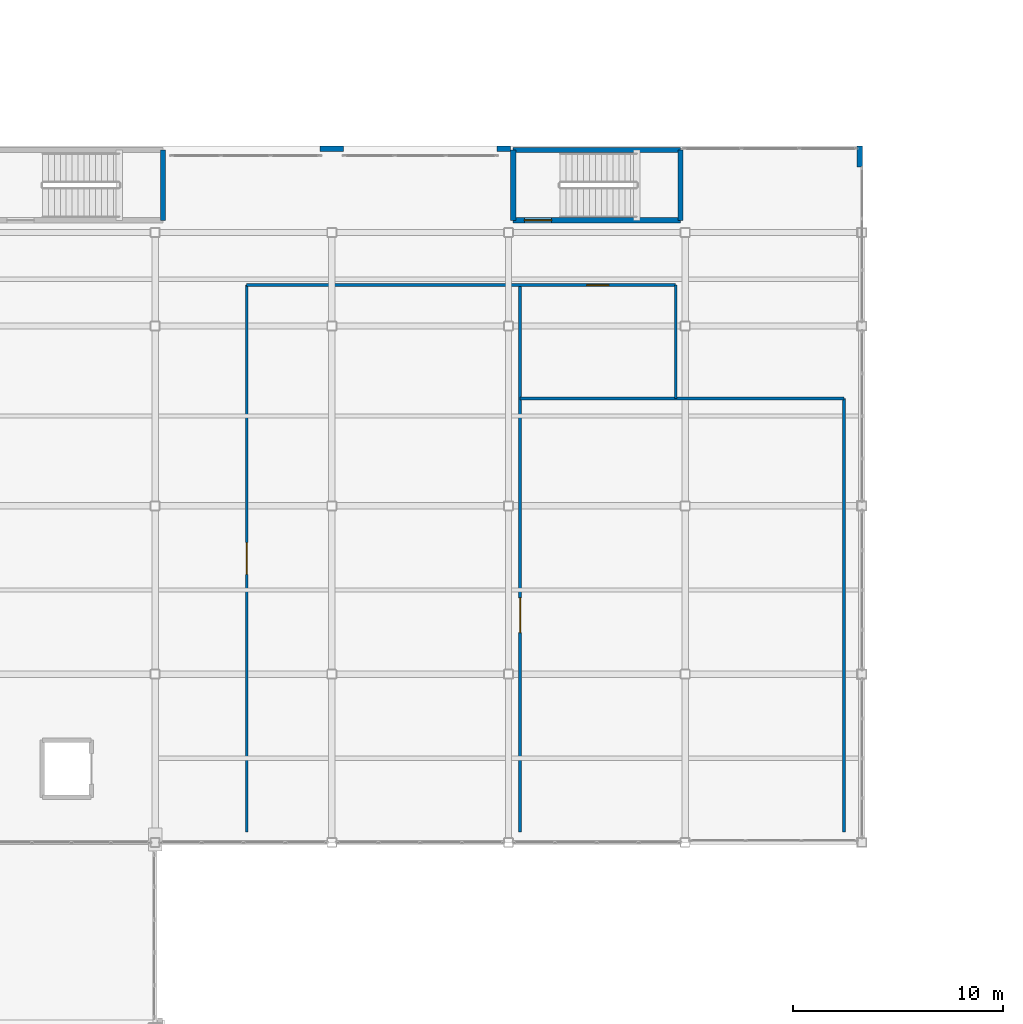
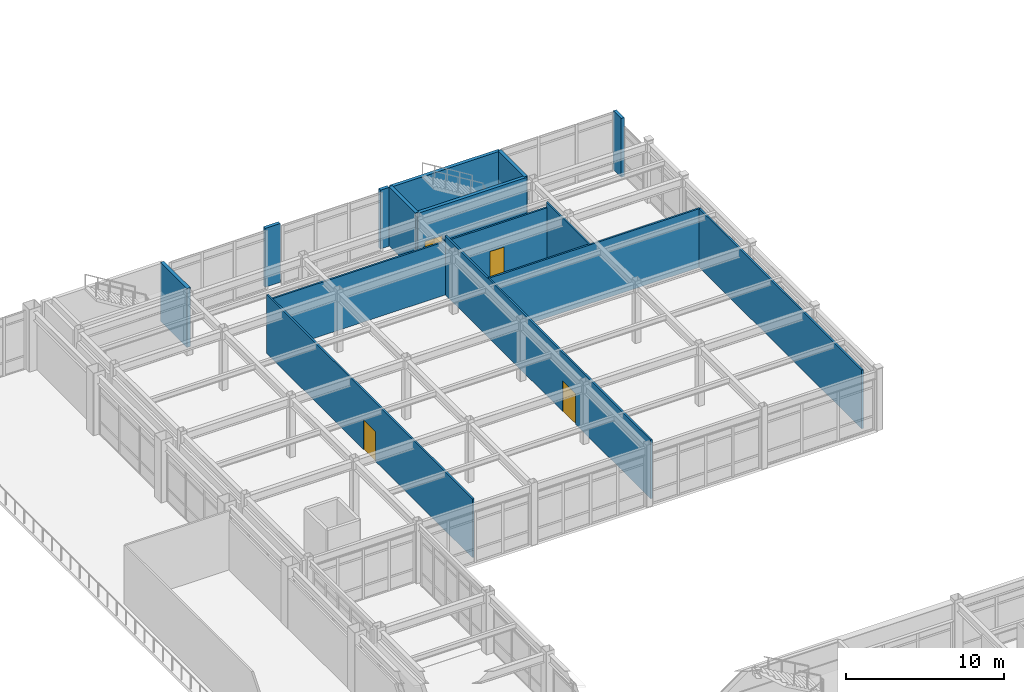
# One storey, part 146 of 172: 14 walls, 4 doors, 4 openings.
"""IFC4 building model written with IfcOpenShell, lengths in metres."""

from ifc_helpers import new_model, si_unit, direction, frame, frame_2d, origin, place, context, subcontext, project, spatial, rectangle, extrude, material, layer, layer_set, type_object, element, fill, save


model = new_model("IFC4")

# Units and contexts
model_context = context("Model", 3, precision=1e-05, world=origin(), true_north=direction((0.0, 1.0)))
body_context = subcontext(model_context, "Body", "Model", "MODEL_VIEW")
ifc_project = project(units=[si_unit("LENGTHUNIT", "METRE"), si_unit("AREAUNIT", "SQUARE_METRE"), si_unit("VOLUMEUNIT", "CUBIC_METRE"), si_unit("PLANEANGLEUNIT", "RADIAN"), si_unit("MASSUNIT", "GRAM", prefix="KILO")], contexts=[model_context])

# Site, building, storey
site_placement = place(None, origin())
site = spatial("IfcSite", under=ifc_project, at=site_placement, CompositionType="ELEMENT")
building_placement = place(site_placement, origin())
building = spatial("IfcBuilding", under=site, at=building_placement, Name="Kazehara Bluff Congress Hotel", CompositionType="ELEMENT")
storey_placement = place(building_placement, frame((0.0, 0.0, 5.39990234375)))
storey = spatial("IfcBuildingStorey", under=building, at=storey_placement, Name="L01", CompositionType="ELEMENT", Elevation=5.39990234375)

# Walls
ifc_material_1 = material(Name="Concrete C40/50", Category="concrete")
ifc_layer_1 = layer(ifc_material_1, 0.25)
ifc_layer_set_1 = layer_set([ifc_layer_1], Name="Concrete C40/50")
wall_type_1 = type_object("IfcWallType", Name="TP-CW-RC", PredefinedType="SHEAR", material=ifc_layer_set_1)
for number, where, z_axis, x_axis, name in (
    (1, (68.02490234375, 113.824951171875, 0.0), (0.0, 0.0, 1.0), (0.0, -1.0, 0.0), "L01 ST-06 core wall far"),
    (2, (84.675048828125, 110.47509765625, 0.0), (0.0, 0.0, 1.0), (0.0, 1.0, 0.0), "L01 ST-07 core wall near"),
    (3, (92.625, 113.824951171875, 0.0), (0.0, 0.0, 1.0), (0.0, -1.0, 0.0), "L01 ST-07 core wall far"),
):
    element("IfcWall", number, at=place(storey_placement, frame(where, z_axis=z_axis, x_axis=x_axis)), inside=storey, type_object=wall_type_1, Name=name, PredefinedType="SHEAR", context=body_context, shape_type="SweptSolid", body=[
        extrude(rectangle(XDim=3.349853515625, YDim=0.25, at=frame_2d((1.6748046875, 0.0))), origin(), (0.0, 0.0, 1.0), 4.550048828125),
    ])

# Wall, opening, door
wall_1_placement = place(storey_placement, frame((92.625, 110.47509765625, 0.0), z_axis=(0.0, 0.0, 1.0), x_axis=(-1.0, 0.0, 0.0)))
wall_1 = element("IfcWall", 4, at=wall_1_placement, inside=storey, type_object=wall_type_1, Name="L01 ST-07 core wall left", PredefinedType="SHEAR", context=body_context, shape_type="SweptSolid", body=[
    extrude(rectangle(XDim=7.949951171875, YDim=0.25, at=frame_2d((3.97509765625, 0.0))), origin(), (0.0, 0.0, 1.0), 4.550048828125),
])
opening_1_placement = place(wall_1_placement, frame((6.125, 0.0, 0.0)))
opening_1 = element("IfcOpeningElement", 5, at=opening_1_placement, cuts=wall_1, Name="Opening FD-01", PredefinedType="OPENING", context=body_context, shape_type="SweptSolid", body=[
    extrude(rectangle(XDim=1.300048828125, YDim=2.199951171875, at=frame_2d((0.64990234375, 1.10009765625))), frame((0.0, 0.135009765625, 0.0), z_axis=(0.0, -1.0, 0.0), x_axis=(1.0, 0.0, 0.0)), (0.0, 0.0, 1.0), 0.27001953125),
])
ifc_material_2 = material(Name="Fire-rated painted steel leaf", Category="steel")
door_type_1 = type_object("IfcDoorType", Name="TP-FD-01", OperationType="NOTDEFINED", PredefinedType="DOOR", material=ifc_material_2)
door_1_placement = place(opening_1_placement, origin())
door_1 = element("IfcDoor", 6, at=door_1_placement, inside=storey, type_object=door_type_1, Name="L01 ST-07 fire stair door", OperationType="SINGLE_SWING_LEFT", OverallHeight=2.199951171875, OverallWidth=1.300048828125, PredefinedType="DOOR", context=body_context, shape_type="SweptSolid", body=[
    extrude(rectangle(XDim=1.300048828125, YDim=2.199951171875, at=frame_2d((0.64990234375, 1.10009765625))), frame((0.0, 0.02490234375, 0.0), z_axis=(0.0, -1.0, 0.0), x_axis=(1.0, 0.0, 0.0)), (0.0, 0.0, 1.0), 0.050048828125),
])
fill(opening_1, door_1)

# Walls
wall_2_placement = place(storey_placement, frame((84.675048828125, 113.824951171875, 0.0), z_axis=(0.0, 0.0, 1.0), x_axis=(1.0, 0.0, 0.0)))
element("IfcWall", 7, at=wall_2_placement, inside=storey, type_object=wall_type_1, Name="L01 ST-07 core wall right", PredefinedType="SHEAR", context=body_context, shape_type="SweptSolid", body=[
    extrude(rectangle(XDim=7.949951171875, YDim=0.25, at=frame_2d((3.97509765625, 0.0))), origin(), (0.0, 0.0, 1.0), 4.550048828125),
])
ifc_material_3 = material(Name="Precast concrete C40/50", Category="concrete")
ifc_layer_2 = layer(ifc_material_3, 0.239990234375)
ifc_layer_set_2 = layer_set([ifc_layer_2], Name="Precast concrete C40/50")
wall_type_2 = type_object("IfcWallType", Name="TP-EW-240", PredefinedType="SOLIDWALL", material=ifc_layer_set_2)
wall_3_placement = place(storey_placement, frame((101.14990234375, 114.0, 0.0), z_axis=(0.0, 0.0, 1.0), x_axis=(0.0, -1.0, 0.0)))
element("IfcWall", 8, at=wall_3_placement, inside=storey, type_object=wall_type_2, Name="L01 V3 perimeter spandrel pier 575", PredefinedType="SOLIDWALL", context=body_context, shape_type="SweptSolid", body=[
    extrude(rectangle(XDim=1.0, YDim=0.239990234375, at=frame_2d((0.5, 0.0))), origin(), (0.0, 0.0, 1.0), 4.53515625),
])
wall_4_placement = place(storey_placement, frame((75.5, 113.8798828125, 0.0), z_axis=(0.0, 0.0, 1.0), x_axis=(1.0, 0.0, 0.0)))
element("IfcWall", 9, at=wall_4_placement, inside=storey, type_object=wall_type_2, Name="L01 V3 perimeter spandrel pier 577", PredefinedType="SOLIDWALL", context=body_context, shape_type="SweptSolid", body=[
    extrude(rectangle(XDim=1.10009765625, YDim=0.239990234375, at=frame_2d((0.550048828125, 0.0))), origin(), (0.0, 0.0, 1.0), 4.53515625),
])
wall_5_placement = place(storey_placement, frame((83.89990234375, 113.8798828125, 0.0), z_axis=(0.0, 0.0, 1.0), x_axis=(1.0, 0.0, 0.0)))
element("IfcWall", 10, at=wall_5_placement, inside=storey, type_object=wall_type_2, Name="L01 V3 perimeter spandrel pier 578", PredefinedType="SOLIDWALL", context=body_context, shape_type="SweptSolid", body=[
    extrude(rectangle(XDim=0.64013671875, YDim=0.239990234375, at=frame_2d((0.320068359375, 0.0))), origin(), (0.0, 0.0, 1.0), 4.53515625),
])
ifc_material_4 = material(Name="Fire-rated gypsum board stud partition")
ifc_layer_3 = layer(ifc_material_4, 0.110107421875)
ifc_layer_set_3 = layer_set([ifc_layer_3], Name="Fire-rated gypsum board stud partition")
wall_type_3 = type_object("IfcWallType", Name="TP-PT-110", PredefinedType="PARTITIONING", material=ifc_layer_set_3)
wall_6_placement = place(storey_placement, frame((92.39990234375, 102.0, 0.0), z_axis=(0.0, 0.0, 1.0), x_axis=(0.0, 1.0, 0.0)))
element("IfcWall", 11, at=wall_6_placement, inside=storey, type_object=wall_type_3, Name="L01 partition PT-110 176", PredefinedType="PARTITIONING", context=body_context, shape_type="SweptSolid", body=[
    extrude(rectangle(XDim=5.39990234375, YDim=0.110107421875, at=frame_2d((2.699951171875, 0.0))), origin(), (0.0, 0.0, 1.0), 4.53515625),
])
ifc_material_5 = material(Name="Fire-rated gypsum board stud partition")
ifc_layer_4 = layer(ifc_material_5, 0.1298828125)
ifc_layer_set_4 = layer_set([ifc_layer_4], Name="Fire-rated gypsum board stud partition")
wall_type_4 = type_object("IfcWallType", Name="TP-PT-130", PredefinedType="PARTITIONING", material=ifc_layer_set_4)
wall_7_placement = place(storey_placement, frame((85.0, 102.0, 0.0), z_axis=(0.0, 0.0, 1.0), x_axis=(1.0, 0.0, 0.0)))
element("IfcWall", 12, at=wall_7_placement, inside=storey, type_object=wall_type_4, Name="L01 partition PT-130 159", PredefinedType="PARTITIONING", context=body_context, shape_type="SweptSolid", body=[
    extrude(rectangle(XDim=15.39990234375, YDim=0.1298828125, at=frame_2d((7.699951171875, 0.0))), origin(), (0.0, 0.0, 1.0), 4.53515625),
])

# Wall, opening, door
wall_8_placement = place(storey_placement, frame((72.0, 107.39990234375, 0.0), z_axis=(0.0, 0.0, 1.0), x_axis=(1.0, 0.0, 0.0)))
wall_8 = element("IfcWall", 13, at=wall_8_placement, inside=storey, type_object=wall_type_4, Name="L01 partition PT-130 160", PredefinedType="PARTITIONING", context=body_context, shape_type="SweptSolid", body=[
    extrude(rectangle(XDim=20.39990234375, YDim=0.1298828125, at=frame_2d((10.199951171875, 0.0))), origin(), (0.0, 0.0, 1.0), 4.125),
])
opening_2_placement = place(wall_8_placement, frame((16.175048828125, 0.0, 0.0)))
opening_2 = element("IfcOpeningElement", 14, at=opening_2_placement, cuts=wall_8, Name="Opening ID-02", PredefinedType="OPENING", context=body_context, shape_type="SweptSolid", body=[
    extrude(rectangle(XDim=1.050048828125, YDim=2.199951171875, at=frame_2d((0.52490234375, 1.10009765625))), frame((0.0, 0.074951171875, 0.0), z_axis=(0.0, -1.0, 0.0), x_axis=(1.0, 0.0, 0.0)), (0.0, 0.0, 1.0), 0.14990234375),
])
ifc_material_6 = material(Name="Architectural oak veneer leaf")
door_type_2 = type_object("IfcDoorType", Name="TP-ID-02", OperationType="NOTDEFINED", PredefinedType="DOOR", material=ifc_material_6)
door_2_placement = place(opening_2_placement, origin())
door_2 = element("IfcDoor", 15, at=door_2_placement, inside=storey, type_object=door_type_2, Name="L01 Thermal Bath Accessible WC and Shower door", OperationType="SINGLE_SWING_RIGHT", OverallHeight=2.199951171875, OverallWidth=1.050048828125, PredefinedType="DOOR", context=body_context, shape_type="SweptSolid", body=[
    extrude(rectangle(XDim=1.050048828125, YDim=2.199951171875, at=frame_2d((0.52490234375, 1.10009765625))), frame((0.0, 0.02490234375, 0.0), z_axis=(0.0, -1.0, 0.0), x_axis=(1.0, 0.0, 0.0)), (0.0, 0.0, 1.0), 0.050048828125),
])
fill(opening_2, door_2)

wall_9_placement = place(storey_placement, frame((72.0, 81.39990234375, 0.0), z_axis=(0.0, 0.0, 1.0), x_axis=(0.0, 1.0, 0.0)))
wall_9 = element("IfcWall", 16, at=wall_9_placement, inside=storey, type_object=wall_type_4, Name="L01 partition PT-130 172", PredefinedType="PARTITIONING", context=body_context, shape_type="SweptSolid", body=[
    extrude(rectangle(XDim=26.0, YDim=0.1298828125, at=frame_2d((13.0, 0.0))), origin(), (0.0, 0.0, 1.0), 4.53515625),
])
opening_3_placement = place(wall_9_placement, frame((12.25, 0.0, 0.0)))
opening_3 = element("IfcOpeningElement", 17, at=opening_3_placement, cuts=wall_9, Name="Opening AD-01", PredefinedType="OPENING", context=body_context, shape_type="SweptSolid", body=[
    extrude(rectangle(XDim=1.5, YDim=2.300048828125, at=frame_2d((0.75, 1.14990234375))), frame((0.0, 0.074951171875, 0.0), z_axis=(0.0, -1.0, 0.0), x_axis=(1.0, 0.0, 0.0)), (0.0, 0.0, 1.0), 0.14990234375),
])
ifc_material_7 = material(Name="Architectural oak veneer leaf")
door_type_3 = type_object("IfcDoorType", Name="TP-AD-01", OperationType="DOUBLE_DOOR_SINGLE_SWING", PredefinedType="DOOR", material=ifc_material_7)
door_3_placement = place(opening_3_placement, origin())
door_3 = element("IfcDoor", 18, at=door_3_placement, inside=storey, type_object=door_type_3, Name="L01 Uemachi Mineral Thermal Bath Hall door", OperationType="DOUBLE_DOOR_SINGLE_SWING", OverallHeight=2.300048828125, OverallWidth=1.5, PredefinedType="DOOR", context=body_context, shape_type="SweptSolid", body=[
    extrude(rectangle(XDim=1.5, YDim=2.300048828125, at=frame_2d((0.75, 1.14990234375))), frame((0.0, 0.02490234375, 0.0), z_axis=(0.0, -1.0, 0.0), x_axis=(1.0, 0.0, 0.0)), (0.0, 0.0, 1.0), 0.050048828125),
])
fill(opening_3, door_3)

wall_10_placement = place(storey_placement, frame((85.0, 81.39990234375, 0.0), z_axis=(0.0, 0.0, 1.0), x_axis=(0.0, 1.0, 0.0)))
wall_10 = element("IfcWall", 19, at=wall_10_placement, inside=storey, type_object=wall_type_4, Name="L01 partition PT-130 174", PredefinedType="PARTITIONING", context=body_context, shape_type="SweptSolid", body=[
    extrude(rectangle(XDim=26.0, YDim=0.1298828125, at=frame_2d((13.0, 0.0))), origin(), (0.0, 0.0, 1.0), 4.53515625),
])
opening_4_placement = place(wall_10_placement, frame((9.47509765625, 0.0, 0.0)))
opening_4 = element("IfcOpeningElement", 20, at=opening_4_placement, cuts=wall_10, Name="Opening AD-04", PredefinedType="OPENING", context=body_context, shape_type="SweptSolid", body=[
    extrude(rectangle(XDim=1.64990234375, YDim=2.35009765625, at=frame_2d((0.824951171875, 1.175048828125))), frame((0.0, 0.074951171875, 0.0), z_axis=(0.0, -1.0, 0.0), x_axis=(1.0, 0.0, 0.0)), (0.0, 0.0, 1.0), 0.14990234375),
])
ifc_material_8 = material(Name="Architectural oak veneer leaf")
door_type_4 = type_object("IfcDoorType", Name="TP-AD-04", OperationType="DOUBLE_DOOR_SINGLE_SWING", PredefinedType="DOOR", material=ifc_material_8)
door_4_placement = place(opening_4_placement, origin())
door_4 = element("IfcDoor", 21, at=door_4_placement, inside=storey, type_object=door_type_4, Name="L01 Clerestory Vitality Pool Hall door", OperationType="DOUBLE_DOOR_SINGLE_SWING", OverallHeight=2.35009765625, OverallWidth=1.64990234375, PredefinedType="DOOR", context=body_context, shape_type="SweptSolid", body=[
    extrude(rectangle(XDim=1.64990234375, YDim=2.35009765625, at=frame_2d((0.824951171875, 1.175048828125))), frame((0.0, 0.02490234375, 0.0), z_axis=(0.0, -1.0, 0.0), x_axis=(1.0, 0.0, 0.0)), (0.0, 0.0, 1.0), 0.050048828125),
])
fill(opening_4, door_4)

# Wall
wall_11_placement = place(storey_placement, frame((100.39990234375, 81.39990234375, 0.0), z_axis=(0.0, 0.0, 1.0), x_axis=(0.0, 1.0, 0.0)))
element("IfcWall", 22, at=wall_11_placement, inside=storey, type_object=wall_type_4, Name="L01 partition PT-130 178", PredefinedType="PARTITIONING", context=body_context, shape_type="SweptSolid", body=[
    extrude(rectangle(XDim=20.60009765625, YDim=0.1298828125, at=frame_2d((10.300048828125, 0.0))), origin(), (0.0, 0.0, 1.0), 4.53515625),
])

save(model, "model.ifc")
